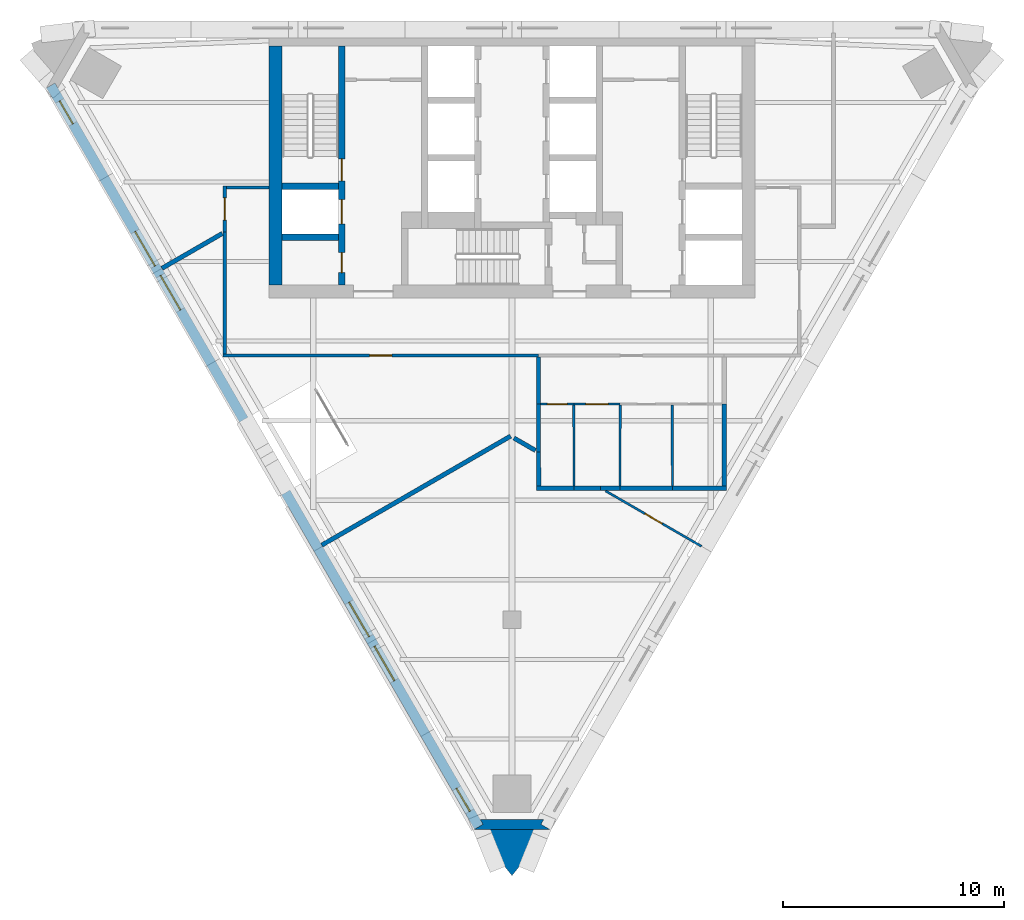
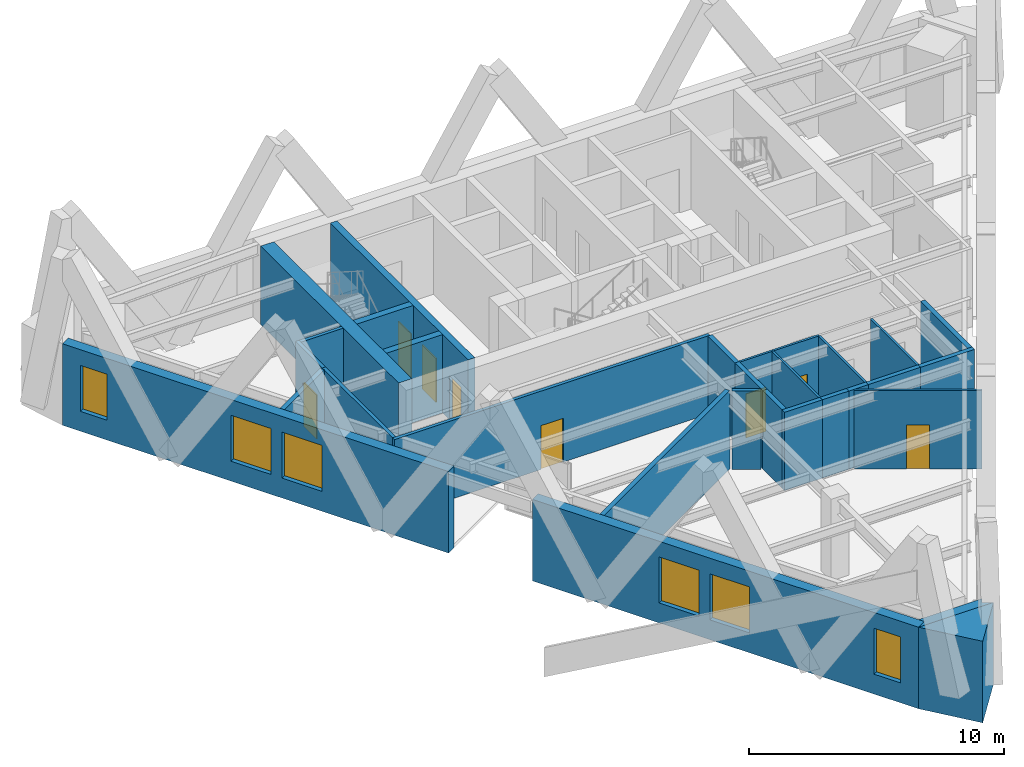
# One storey, part 4 of 9: 30 walls, 8 doors, 6 windows, 14 openings.
"""IFC4 building model written with IfcOpenShell, lengths in metres."""

from ifc_helpers import new_model, si_unit, direction, frame, frame_2d, origin, place, context, subcontext, project, spatial, polyline, rectangle, outline, extrude, material, layer, layer_set, type_object, element, fill, save


model = new_model("IFC4")

# Units and contexts
model_context = context("Model", 3, precision=1e-05, world=origin(), true_north=direction((0.0, 1.0)))
body_context = subcontext(model_context, "Body", "Model", "MODEL_VIEW")
ifc_project = project(units=[si_unit("LENGTHUNIT", "METRE"), si_unit("AREAUNIT", "SQUARE_METRE"), si_unit("VOLUMEUNIT", "CUBIC_METRE"), si_unit("PLANEANGLEUNIT", "RADIAN"), si_unit("MASSUNIT", "GRAM", prefix="KILO")], contexts=[model_context])

# Site, building, storey
site_placement = place(None, origin())
site = spatial("IfcSite", under=ifc_project, at=site_placement, CompositionType="ELEMENT")
building_placement = place(site_placement, origin())
building = spatial("IfcBuilding", under=site, at=building_placement, Name="Aloe Facet Convention Tower", CompositionType="ELEMENT")
storey_placement = place(building_placement, frame((0.0, 0.0, 203.60009765625)))
storey = spatial("IfcBuildingStorey", under=building, at=storey_placement, Name="L51", CompositionType="ELEMENT", Elevation=203.60009765625)

# Walls
ifc_material_1 = material(Name="Concrete C50/60", Category="concrete")
ifc_layer_1 = layer(ifc_material_1, 0.300048828125)
ifc_layer_set_1 = layer_set([ifc_layer_1], Name="CR-W-RC300-C5060")
wall_type_1 = type_object("IfcWallType", Name="CR-W-RC300-C5060", PredefinedType="SOLIDWALL", material=ifc_layer_set_1)
for number, where, z_axis, x_axis, name in (
    (1, (69.60009765625, 127.60009765625, 0.0), (0.0, 0.0, 1.0), (1.0, 0.0, 0.0), "Core wall L51-004"),
    (2, (69.60009765625, 125.300048828125, 0.0), (0.0, 0.0, 1.0), (1.0, 0.0, 0.0), "Core wall L51-005"),
):
    element("IfcWall", number, at=place(storey_placement, frame(where, z_axis=z_axis, x_axis=x_axis)), inside=storey, type_object=wall_type_1, Name=name, PredefinedType="SOLIDWALL", context=body_context, shape_type="SweptSolid", body=[
        extrude(rectangle(XDim=2.5498046875, YDim=0.300048828125, at=frame_2d((1.27490234375, 0.0))), origin(), (0.0, 0.0, 1.0), 3.75),
    ])

# Wall, openings, doors
wall_1_placement = place(storey_placement, frame((72.300048828125, 133.949951171875, 0.0), z_axis=(0.0, 0.0, 1.0), x_axis=(0.0, -1.0, 0.0)))
wall_1 = element("IfcWall", 3, at=wall_1_placement, inside=storey, type_object=wall_type_1, Name="Core wall L51-006", PredefinedType="SOLIDWALL", context=body_context, shape_type="SweptSolid", body=[
    extrude(rectangle(XDim=10.800048828125, YDim=0.300048828125, at=frame_2d((5.39990234375, 0.0))), origin(), (0.0, 0.0, 1.0), 3.75),
])
opening_1_placement = place(wall_1_placement, frame((6.949951171875, 0.0, 0.0)))
opening_1 = element("IfcOpeningElement", 4, at=opening_1_placement, cuts=wall_1, Name="Opening LD-FF1-L51", PredefinedType="OPENING", context=body_context, shape_type="SweptSolid", body=[
    extrude(rectangle(XDim=1.10009765625, YDim=2.10009765625, at=frame_2d((0.550048828125, 1.050048828125))), frame((0.0, 0.16015625, 0.0), z_axis=(0.0, -1.0, 0.0), x_axis=(1.0, 0.0, 0.0)), (0.0, 0.0, 1.0), 0.320068359375),
])
opening_2_placement = place(wall_1_placement, frame((9.35009765625, 0.0, 0.0)))
opening_2 = element("IfcOpeningElement", 5, at=opening_2_placement, cuts=wall_1, Name="Opening L51-CD15", PredefinedType="OPENING", context=body_context, shape_type="SweptSolid", body=[
    extrude(rectangle(XDim=0.89990234375, YDim=2.10009765625, at=frame_2d((0.449951171875, 1.050048828125))), frame((0.0, 0.16015625, 0.0), z_axis=(0.0, -1.0, 0.0), x_axis=(1.0, 0.0, 0.0)), (0.0, 0.0, 1.0), 0.320068359375),
])
opening_3_placement = place(wall_1_placement, frame((5.10009765625, 0.0, 0.0)))
opening_3 = element("IfcOpeningElement", 6, at=opening_3_placement, cuts=wall_1, Name="Opening L51-CD16", PredefinedType="OPENING", context=body_context, shape_type="SweptSolid", body=[
    extrude(rectangle(XDim=1.0, YDim=2.10009765625, at=frame_2d((0.5, 1.050048828125))), frame((0.0, 0.16015625, 0.0), z_axis=(0.0, -1.0, 0.0), x_axis=(1.0, 0.0, 0.0)), (0.0, 0.0, 1.0), 0.320068359375),
])
ifc_material_2 = material(Name="Steel fire-resisting door set FD60", Category="steel")
door_type_1 = type_object("IfcDoorType", Name="CR-D-ROOM-900-FD60-SLEFT", OperationType="SINGLE_SWING_LEFT", PredefinedType="DOOR", material=ifc_material_2)
door_1_placement = place(opening_2_placement, origin())
door_1 = element("IfcDoor", 7, at=door_1_placement, inside=storey, type_object=door_type_1, Name="Core door L51-CD15", OperationType="SINGLE_SWING_LEFT", OverallHeight=2.10009765625, OverallWidth=0.89990234375, PredefinedType="DOOR", context=body_context, shape_type="SweptSolid", body=[
    extrude(rectangle(XDim=0.89990234375, YDim=2.10009765625, at=frame_2d((0.449951171875, 1.050048828125))), frame((0.0, 0.02490234375, 0.0), z_axis=(0.0, -1.0, 0.0), x_axis=(1.0, 0.0, 0.0)), (0.0, 0.0, 1.0), 0.050048828125),
])
fill(opening_2, door_1)
ifc_material_3 = material(Name="Steel fire-resisting door set FD120", Category="steel")
door_type_2 = type_object("IfcDoorType", Name="CR-D-STAIR-1000-FD120-SRIGHT", OperationType="SINGLE_SWING_RIGHT", PredefinedType="DOOR", material=ifc_material_3)
door_2_placement = place(opening_3_placement, origin())
door_2 = element("IfcDoor", 8, at=door_2_placement, inside=storey, type_object=door_type_2, Name="Core door L51-CD16", OperationType="SINGLE_SWING_RIGHT", OverallHeight=2.10009765625, OverallWidth=1.0, PredefinedType="DOOR", context=body_context, shape_type="SweptSolid", body=[
    extrude(rectangle(XDim=1.0, YDim=2.10009765625, at=frame_2d((0.5, 1.050048828125))), frame((0.0, 0.02490234375, 0.0), z_axis=(0.0, -1.0, 0.0), x_axis=(1.0, 0.0, 0.0)), (0.0, 0.0, 1.0), 0.050048828125),
])
fill(opening_3, door_2)
ifc_material_4 = material(Name="Stainless steel sliding landing door", Category="steel")
door_type_3 = type_object("IfcDoorType", Name="CR-LD-1100-FD120-_LEFT", OperationType="SLIDING_TO_LEFT", PredefinedType="DOOR", material=ifc_material_4)
door_3_placement = place(opening_1_placement, origin())
door_3 = element("IfcDoor", 9, at=door_3_placement, inside=storey, type_object=door_type_3, Name="Landing door FF1 L51", OperationType="SLIDING_TO_LEFT", OverallHeight=2.10009765625, OverallWidth=1.10009765625, PredefinedType="DOOR", context=body_context, shape_type="SweptSolid", body=[
    extrude(rectangle(XDim=1.10009765625, YDim=2.10009765625, at=frame_2d((0.550048828125, 1.050048828125))), frame((0.0, 0.02490234375, 0.0), z_axis=(0.0, -1.0, 0.0), x_axis=(1.0, 0.0, 0.0)), (0.0, 0.0, 1.0), 0.050048828125),
])
fill(opening_1, door_3)

# Walls
ifc_material_5 = material(Name="Concrete C50/60", Category="concrete")
ifc_layer_2 = layer(ifc_material_5, 0.60009765625)
ifc_layer_set_2 = layer_set([ifc_layer_2], Name="CR-W-RC600-C5060")
wall_type_2 = type_object("IfcWallType", Name="CR-W-RC600-C5060", PredefinedType="SOLIDWALL", material=ifc_layer_set_2)
wall_2_placement = place(storey_placement, frame((69.300048828125, 133.949951171875, 0.0), z_axis=(0.0, 0.0, 1.0), x_axis=(0.0, -1.0, 0.0)))
element("IfcWall", 10, at=wall_2_placement, inside=storey, type_object=wall_type_2, Name="Core wall L51-002", PredefinedType="SOLIDWALL", context=body_context, shape_type="SweptSolid", body=[
    extrude(rectangle(XDim=10.800048828125, YDim=0.60009765625, at=frame_2d((5.39990234375, 0.0))), origin(), (0.0, 0.0, 1.0), 3.75),
])
ifc_material_6 = material(Name="Precast concrete C40/50", Category="concrete")
ifc_layer_3 = layer(ifc_material_6, 0.449951171875)
ifc_layer_set_3 = layer_set([ifc_layer_3], Name="EV-WALL-PIER")
wall_type_3 = type_object("IfcWallType", Name="EV-WALL-PIER", PredefinedType="SOLIDWALL", material=ifc_layer_set_3)
wall_3_placement = place(storey_placement, frame((0.0, 0.0, -0.150146484375)))
element("IfcWall", 11, at=wall_3_placement, inside=storey, type_object=wall_type_3, Name="EP-L51-B", PredefinedType="SOLIDWALL", context=body_context, shape_type="SweptSolid", body=[
    extrude(outline(polyline([(78.300048828125, 98.514892578125), (78.689697265625, 98.739990234375), (78.559814453125, 98.965087890625), (81.440185546875, 98.965087890625), (81.310302734375, 98.739990234375), (81.699951171875, 98.514892578125), (78.300048828125, 98.514892578125)])), origin(), (0.0, 0.0, 1.0), 3.900146484375),
])
ifc_material_7 = material(Name="Precast concrete C40/50", Category="concrete")
ifc_layer_4 = layer(ifc_material_7, 3.947998046875)
ifc_layer_set_4 = layer_set([ifc_layer_4], Name="EV-WALL-SPINE")
wall_type_4 = type_object("IfcWallType", Name="EV-WALL-SPINE", PredefinedType="SOLIDWALL", material=ifc_layer_set_4)
wall_4_placement = place(storey_placement, frame((0.0, 0.0, -0.150146484375)))
element("IfcWall", 12, at=wall_4_placement, inside=storey, type_object=wall_type_4, Name="SP-S-L51", PredefinedType="SOLIDWALL", context=body_context, shape_type="SweptSolid", body=[
    extrude(outline(polyline([(78.300048828125, 98.514892578125), (80.0, 96.41943359375), (81.699951171875, 98.514892578125), (78.300048828125, 98.514892578125)])), origin(), (0.0, 0.0, 1.0), 3.900146484375),
])

# Wall, openings, windows
ifc_material_8 = material(Name="Precast concrete C40/50", Category="concrete")
ifc_layer_5 = layer(ifc_material_8, 0.449951171875)
ifc_layer_set_5 = layer_set([ifc_layer_5], Name="EV-WALL-STONE")
wall_type_5 = type_object("IfcWallType", Name="EV-WALL-STONE", PredefinedType="SOLIDWALL", material=ifc_layer_set_5)
wall_5_placement = place(storey_placement, frame((59.130126953125, 132.16796875, -0.150146484375), z_axis=(0.0, 0.0, 1.0), x_axis=(0.500006012489, -0.866021932445, 0.0)))
wall_5 = element("IfcWall", 13, at=wall_5_placement, inside=storey, type_object=wall_type_5, Name="EW-L51-W01", PredefinedType="SOLIDWALL", context=body_context, shape_type="SweptSolid", body=[
    extrude(outline(polyline([(0.0, 0.0), (0.0, 3.900146484375), (17.464599609375, 3.900146484375), (17.464599609375, 0.0), (0.0, 0.0)])), frame((0.0, 0.22509765625, 0.0), z_axis=(0.0, -1.0, 0.0), x_axis=(1.0, 0.0, 0.0)), (0.0, 0.0, 1.0), 0.449951171875),
])
opening_4_placement = place(wall_5_placement, frame((0.80712890625, 0.0, 0.949951171875)))
opening_4 = element("IfcOpeningElement", 14, at=opening_4_placement, cuts=wall_5, Name="Opening W-L51-W01", PredefinedType="OPENING", context=body_context, shape_type="SweptSolid", body=[
    extrude(rectangle(XDim=1.199951171875, YDim=2.199951171875, at=frame_2d((0.60009765625, 1.10009765625))), frame((0.0, 0.23486328125, 0.0), z_axis=(0.0, -1.0, 0.0), x_axis=(1.0, 0.0, 0.0)), (0.0, 0.0, 1.0), 0.469970703125),
])
opening_5_placement = place(wall_5_placement, frame((7.63232421875, 0.0, 0.949951171875)))
opening_5 = element("IfcOpeningElement", 15, at=opening_5_placement, cuts=wall_5, Name="Opening W-L51-W02", PredefinedType="OPENING", context=body_context, shape_type="SweptSolid", body=[
    extrude(rectangle(XDim=1.800048828125, YDim=2.199951171875, at=frame_2d((0.89990234375, 1.10009765625))), frame((0.0, 0.23486328125, 0.0), z_axis=(0.0, -1.0, 0.0), x_axis=(1.0, 0.0, 0.0)), (0.0, 0.0, 1.0), 0.469970703125),
])
opening_6_placement = place(wall_5_placement, frame((9.932373046875, 0.0, 0.949951171875)))
opening_6 = element("IfcOpeningElement", 16, at=opening_6_placement, cuts=wall_5, Name="Opening W-L51-W03", PredefinedType="OPENING", context=body_context, shape_type="SweptSolid", body=[
    extrude(rectangle(XDim=1.800048828125, YDim=2.199951171875, at=frame_2d((0.89990234375, 1.10009765625))), frame((0.0, 0.23486328125, 0.0), z_axis=(0.0, -1.0, 0.0), x_axis=(1.0, 0.0, 0.0)), (0.0, 0.0, 1.0), 0.469970703125),
])
ifc_material_9 = material(Name="Aluminium frame, clear double glazing", Category="aluminium")
window_type_1 = type_object("IfcWindowType", Name="EV-WIN-O12", PartitioningType="SINGLE_PANEL", PredefinedType="WINDOW", material=ifc_material_9)
window_1_placement = place(opening_4_placement, origin())
window_1 = element("IfcWindow", 17, at=window_1_placement, inside=storey, type_object=window_type_1, Name="W-L51-W01", OverallHeight=2.199951171875, OverallWidth=1.199951171875, PartitioningType="SINGLE_PANEL", PredefinedType="WINDOW", context=body_context, shape_type="SweptSolid", body=[
    extrude(rectangle(XDim=1.199951171875, YDim=2.199951171875, at=frame_2d((0.60009765625, 1.10009765625))), frame((0.0, 0.030029296875, 0.0), z_axis=(0.0, -1.0, 0.0), x_axis=(1.0, 0.0, 0.0)), (0.0, 0.0, 1.0), 0.06005859375),
])
fill(opening_4, window_1)
ifc_material_10 = material(Name="Aluminium frame, clear double glazing", Category="aluminium")
window_type_2 = type_object("IfcWindowType", Name="EV-WIN-O18", PartitioningType="SINGLE_PANEL", PredefinedType="WINDOW", material=ifc_material_10)
window_2_placement = place(opening_5_placement, origin())
window_2 = element("IfcWindow", 18, at=window_2_placement, inside=storey, type_object=window_type_2, Name="W-L51-W02", OverallHeight=2.199951171875, OverallWidth=1.800048828125, PartitioningType="SINGLE_PANEL", PredefinedType="WINDOW", context=body_context, shape_type="SweptSolid", body=[
    extrude(rectangle(XDim=1.800048828125, YDim=2.199951171875, at=frame_2d((0.89990234375, 1.10009765625))), frame((0.0, 0.030029296875, 0.0), z_axis=(0.0, -1.0, 0.0), x_axis=(1.0, 0.0, 0.0)), (0.0, 0.0, 1.0), 0.06005859375),
])
fill(opening_5, window_2)
window_3_placement = place(opening_6_placement, origin())
window_3 = element("IfcWindow", 19, at=window_3_placement, inside=storey, type_object=window_type_2, Name="W-L51-W03", OverallHeight=2.199951171875, OverallWidth=1.800048828125, PartitioningType="SINGLE_PANEL", PredefinedType="WINDOW", context=body_context, shape_type="SweptSolid", body=[
    extrude(rectangle(XDim=1.800048828125, YDim=2.199951171875, at=frame_2d((0.89990234375, 1.10009765625))), frame((0.0, 0.030029296875, 0.0), z_axis=(0.0, -1.0, 0.0), x_axis=(1.0, 0.0, 0.0)), (0.0, 0.0, 1.0), 0.06005859375),
])
fill(opening_6, window_3)

wall_6_placement = place(storey_placement, frame((69.762451171875, 113.752197265625, -0.150146484375), z_axis=(0.0, 0.0, 1.0), x_axis=(0.500006012489, -0.866021932445, 0.0)))
wall_6 = element("IfcWall", 20, at=wall_6_placement, inside=storey, type_object=wall_type_5, Name="EW-L51-W02", PredefinedType="SOLIDWALL", context=body_context, shape_type="SweptSolid", body=[
    extrude(outline(polyline([(17.464599609375, 3.900146484375), (17.464599609375, 0.0), (0.0, 0.0), (0.0, 3.900146484375), (17.464599609375, 3.900146484375)])), frame((0.0, 0.22509765625, 0.0), z_axis=(0.0, -1.0, 0.0), x_axis=(1.0, 0.0, 0.0)), (0.0, 0.0, 1.0), 0.449951171875),
])
opening_7_placement = place(wall_6_placement, frame((5.732421875, 0.0, 0.949951171875)))
opening_7 = element("IfcOpeningElement", 21, at=opening_7_placement, cuts=wall_6, Name="Opening W-L51-W04", PredefinedType="OPENING", context=body_context, shape_type="SweptSolid", body=[
    extrude(rectangle(XDim=1.800048828125, YDim=2.199951171875, at=frame_2d((0.89990234375, 1.10009765625))), frame((0.0, 0.23486328125, 0.0), z_axis=(0.0, -1.0, 0.0), x_axis=(1.0, 0.0, 0.0)), (0.0, 0.0, 1.0), 0.469970703125),
])
opening_8_placement = place(wall_6_placement, frame((8.0322265625, 0.0, 0.949951171875)))
opening_8 = element("IfcOpeningElement", 22, at=opening_8_placement, cuts=wall_6, Name="Opening W-L51-W05", PredefinedType="OPENING", context=body_context, shape_type="SweptSolid", body=[
    extrude(rectangle(XDim=1.800048828125, YDim=2.199951171875, at=frame_2d((0.89990234375, 1.10009765625))), frame((0.0, 0.23486328125, 0.0), z_axis=(0.0, -1.0, 0.0), x_axis=(1.0, 0.0, 0.0)), (0.0, 0.0, 1.0), 0.469970703125),
])
opening_9_placement = place(wall_6_placement, frame((15.45751953125, 0.0, 0.949951171875)))
opening_9 = element("IfcOpeningElement", 23, at=opening_9_placement, cuts=wall_6, Name="Opening W-L51-W06", PredefinedType="OPENING", context=body_context, shape_type="SweptSolid", body=[
    extrude(rectangle(XDim=1.199951171875, YDim=2.199951171875, at=frame_2d((0.60009765625, 1.10009765625))), frame((0.0, 0.23486328125, 0.0), z_axis=(0.0, -1.0, 0.0), x_axis=(1.0, 0.0, 0.0)), (0.0, 0.0, 1.0), 0.469970703125),
])
window_4_placement = place(opening_9_placement, origin())
window_4 = element("IfcWindow", 24, at=window_4_placement, inside=storey, type_object=window_type_1, Name="W-L51-W06", OverallHeight=2.199951171875, OverallWidth=1.199951171875, PartitioningType="SINGLE_PANEL", PredefinedType="WINDOW", context=body_context, shape_type="SweptSolid", body=[
    extrude(rectangle(XDim=1.199951171875, YDim=2.199951171875, at=frame_2d((0.60009765625, 1.10009765625))), frame((0.0, 0.030029296875, 0.0), z_axis=(0.0, -1.0, 0.0), x_axis=(1.0, 0.0, 0.0)), (0.0, 0.0, 1.0), 0.06005859375),
])
fill(opening_9, window_4)
window_5_placement = place(opening_7_placement, origin())
window_5 = element("IfcWindow", 25, at=window_5_placement, inside=storey, type_object=window_type_2, Name="W-L51-W04", OverallHeight=2.199951171875, OverallWidth=1.800048828125, PartitioningType="SINGLE_PANEL", PredefinedType="WINDOW", context=body_context, shape_type="SweptSolid", body=[
    extrude(rectangle(XDim=1.800048828125, YDim=2.199951171875, at=frame_2d((0.89990234375, 1.10009765625))), frame((0.0, 0.030029296875, 0.0), z_axis=(0.0, -1.0, 0.0), x_axis=(1.0, 0.0, 0.0)), (0.0, 0.0, 1.0), 0.06005859375),
])
fill(opening_7, window_5)
window_6_placement = place(opening_8_placement, origin())
window_6 = element("IfcWindow", 26, at=window_6_placement, inside=storey, type_object=window_type_2, Name="W-L51-W05", OverallHeight=2.199951171875, OverallWidth=1.800048828125, PartitioningType="SINGLE_PANEL", PredefinedType="WINDOW", context=body_context, shape_type="SweptSolid", body=[
    extrude(rectangle(XDim=1.800048828125, YDim=2.199951171875, at=frame_2d((0.89990234375, 1.10009765625))), frame((0.0, 0.030029296875, 0.0), z_axis=(0.0, -1.0, 0.0), x_axis=(1.0, 0.0, 0.0)), (0.0, 0.0, 1.0), 0.06005859375),
])
fill(opening_8, window_6)

# Wall, opening, door
ifc_material_11 = material(Name="Gypsum board partition on steel studs", Category="steel")
ifc_layer_6 = layer(ifc_material_11, 0.14990234375)
ifc_layer_set_6 = layer_set([ifc_layer_6], Name="IN-W-CORR")
wall_type_6 = type_object("IfcWallType", Name="IN-W-CORR", PredefinedType="PARTITIONING", material=ifc_layer_set_6)
wall_7_placement = place(storey_placement, frame((66.925048828125, 119.949951171875, 0.0), z_axis=(0.0, 0.0, 1.0), x_axis=(1.0, 0.0, 0.0)))
wall_7 = element("IfcWall", 27, at=wall_7_placement, inside=storey, type_object=wall_type_6, Name="Partition L51-W021", PredefinedType="PARTITIONING", context=body_context, shape_type="SweptSolid", body=[
    extrude(rectangle(XDim=14.27490234375, YDim=0.14990234375, at=frame_2d((7.137451171875, 0.0))), origin(), (0.0, 0.0, 1.0), 3.75),
])
opening_10_placement = place(wall_7_placement, frame((6.637451171875, 0.0, 0.0)))
opening_10 = element("IfcOpeningElement", 28, at=opening_10_placement, cuts=wall_7, Name="Opening L51-008", PredefinedType="OPENING", context=body_context, shape_type="SweptSolid", body=[
    extrude(rectangle(XDim=1.0, YDim=2.10009765625, at=frame_2d((0.5, 1.050048828125))), frame((0.0, 0.0849609375, 0.0), z_axis=(0.0, -1.0, 0.0), x_axis=(1.0, 0.0, 0.0)), (0.0, 0.0, 1.0), 0.169921875),
])
ifc_material_12 = material(Name="Timber door FD30S with vision panel", Category="wood")
door_type_4 = type_object("IfcDoorType", Name="IN-OFF-D-ENTRY", OperationType="SINGLE_SWING_LEFT", PredefinedType="DOOR", material=ifc_material_12)
door_4_placement = place(opening_10_placement, origin())
door_4 = element("IfcDoor", 29, at=door_4_placement, inside=storey, type_object=door_type_4, Name="Door L51-008", OperationType="SINGLE_SWING_LEFT", OverallHeight=2.10009765625, OverallWidth=1.0, PredefinedType="DOOR", context=body_context, shape_type="SweptSolid", body=[
    extrude(rectangle(XDim=1.0, YDim=2.10009765625, at=frame_2d((0.5, 1.050048828125))), frame((0.0, 0.02490234375, 0.0), z_axis=(0.0, -1.0, 0.0), x_axis=(1.0, 0.0, 0.0)), (0.0, 0.0, 1.0), 0.050048828125),
])
fill(opening_10, door_4)

wall_8_placement = place(storey_placement, frame((67.0, 125.531494140625, 0.0), z_axis=(0.0, 0.0, 1.0), x_axis=(0.0, 1.0, 0.0)))
wall_8 = element("IfcWall", 30, at=wall_8_placement, inside=storey, type_object=wall_type_6, Name="Partition L51-W026", PredefinedType="PARTITIONING", context=body_context, shape_type="SweptSolid", body=[
    extrude(rectangle(XDim=2.093505859375, YDim=0.14990234375, at=frame_2d((1.046875, 0.0))), origin(), (0.0, 0.0, 1.0), 3.75),
])
opening_11_placement = place(wall_8_placement, frame((0.546875, 0.0, 0.0)))
opening_11 = element("IfcOpeningElement", 31, at=opening_11_placement, cuts=wall_8, Name="Opening L51-007", PredefinedType="OPENING", context=body_context, shape_type="SweptSolid", body=[
    extrude(rectangle(XDim=1.0, YDim=2.10009765625, at=frame_2d((0.5, 1.050048828125))), frame((0.0, 0.0849609375, 0.0), z_axis=(0.0, -1.0, 0.0), x_axis=(1.0, 0.0, 0.0)), (0.0, 0.0, 1.0), 0.169921875),
])
door_5_placement = place(opening_11_placement, origin())
door_5 = element("IfcDoor", 32, at=door_5_placement, inside=storey, type_object=door_type_4, Name="Door L51-007", OperationType="SINGLE_SWING_LEFT", OverallHeight=2.10009765625, OverallWidth=1.0, PredefinedType="DOOR", context=body_context, shape_type="SweptSolid", body=[
    extrude(rectangle(XDim=1.0, YDim=2.10009765625, at=frame_2d((0.5, 1.050048828125))), frame((0.0, 0.02490234375, 0.0), z_axis=(0.0, -1.0, 0.0), x_axis=(1.0, 0.0, 0.0)), (0.0, 0.0, 1.0), 0.050048828125),
])
fill(opening_11, door_5)

# Walls
wall_9_placement = place(storey_placement, frame((67.0, 120.02490234375, 0.0), z_axis=(0.0, 0.0, 1.0), x_axis=(0.0, 1.0, 0.0)))
element("IfcWall", 33, at=wall_9_placement, inside=storey, type_object=wall_type_6, Name="Partition L51-W027", PredefinedType="PARTITIONING", context=body_context, shape_type="SweptSolid", body=[
    extrude(rectangle(XDim=5.506591796875, YDim=0.14990234375, at=frame_2d((2.75341796875, 0.0))), origin(), (0.0, 0.0, 1.0), 3.75),
])
wall_10_placement = place(storey_placement, frame((67.074951171875, 127.550048828125, 0.0), z_axis=(0.0, 0.0, 1.0), x_axis=(1.0, 0.0, 0.0)))
element("IfcWall", 34, at=wall_10_placement, inside=storey, type_object=wall_type_6, Name="Partition L51-W030", PredefinedType="PARTITIONING", context=body_context, shape_type="SweptSolid", body=[
    extrude(rectangle(XDim=1.925048828125, YDim=0.14990234375, at=frame_2d((0.96240234375, 0.0))), origin(), (0.0, 0.0, 1.0), 3.75),
])

# Wall, opening, door
ifc_material_13 = material(Name="Gypsum board partition on steel studs", Category="steel")
ifc_layer_7 = layer(ifc_material_13, 0.10009765625)
ifc_layer_set_7 = layer_set([ifc_layer_7], Name="IN-W-PART")
wall_type_7 = type_object("IfcWallType", Name="IN-W-PART", PredefinedType="PARTITIONING", material=ifc_layer_set_7)
wall_11_placement = place(storey_placement, frame((84.229248046875, 113.824951171875, 0.0), z_axis=(0.0, 0.0, 1.0), x_axis=(0.866023434512, -0.500003410864, 0.0)))
wall_11 = element("IfcWall", 35, at=wall_11_placement, inside=storey, type_object=wall_type_7, Name="Partition L51-W004", PredefinedType="PARTITIONING", context=body_context, shape_type="SweptSolid", body=[
    extrude(rectangle(XDim=5.0146484375, YDim=0.10009765625, at=frame_2d((2.50732421875, 0.0))), origin(), (0.0, 0.0, 1.0), 3.75),
])
opening_12_placement = place(wall_11_placement, frame((2.057373046875, 0.0, 0.0)))
opening_12 = element("IfcOpeningElement", 36, at=opening_12_placement, cuts=wall_11, Name="Opening L51-010", PredefinedType="OPENING", context=body_context, shape_type="SweptSolid", body=[
    extrude(rectangle(XDim=0.89990234375, YDim=2.10009765625, at=frame_2d((0.449951171875, 1.050048828125))), frame((0.0, 0.06005859375, 0.0), z_axis=(0.0, -1.0, 0.0), x_axis=(1.0, 0.0, 0.0)), (0.0, 0.0, 1.0), 0.1201171875),
])
ifc_material_14 = material(Name="Timber door", Category="wood")
door_type_5 = type_object("IfcDoorType", Name="IN-OFF-D-ROOM", OperationType="SINGLE_SWING_LEFT", PredefinedType="DOOR", material=ifc_material_14)
door_6_placement = place(opening_12_placement, origin())
door_6 = element("IfcDoor", 37, at=door_6_placement, inside=storey, type_object=door_type_5, Name="Door L51-010", OperationType="SINGLE_SWING_LEFT", OverallHeight=2.10009765625, OverallWidth=0.89990234375, PredefinedType="DOOR", context=body_context, shape_type="SweptSolid", body=[
    extrude(rectangle(XDim=0.89990234375, YDim=2.10009765625, at=frame_2d((0.449951171875, 1.050048828125))), frame((0.0, 0.02490234375, 0.0), z_axis=(0.0, -1.0, 0.0), x_axis=(1.0, 0.0, 0.0)), (0.0, 0.0, 1.0), 0.050048828125),
])
fill(opening_12, door_6)

# Wall
wall_12_placement = place(storey_placement, frame((82.8056640625, 114.050048828125, 0.0), z_axis=(0.0, 0.0, 1.0), x_axis=(-0.002608686776, 0.999996597371, 0.0)))
element("IfcWall", 38, at=wall_12_placement, inside=storey, type_object=wall_type_7, Name="Partition L51-W012", PredefinedType="PARTITIONING", context=body_context, shape_type="SweptSolid", body=[
    extrude(rectangle(XDim=3.64990234375, YDim=0.10009765625, at=frame_2d((1.824951171875, 0.0))), origin(), (0.0, 0.0, 1.0), 3.75),
])

# Wall, opening, door
wall_13_placement = place(storey_placement, frame((81.300048828125, 117.75, 0.0), z_axis=(0.0, 0.0, 1.0), x_axis=(1.0, 0.0, 0.0)))
wall_13 = element("IfcWall", 39, at=wall_13_placement, inside=storey, type_object=wall_type_7, Name="Partition L51-W013", PredefinedType="PARTITIONING", context=body_context, shape_type="SweptSolid", body=[
    extrude(rectangle(XDim=1.495849609375, YDim=0.10009765625, at=frame_2d((0.748046875, 0.0))), origin(), (0.0, 0.0, 1.0), 3.75),
])
opening_13_placement = place(wall_13_placement, frame((0.298095703125, 0.0, 0.0)))
opening_13 = element("IfcOpeningElement", 40, at=opening_13_placement, cuts=wall_13, Name="Opening L51-002", PredefinedType="OPENING", context=body_context, shape_type="SweptSolid", body=[
    extrude(rectangle(XDim=0.89990234375, YDim=2.10009765625, at=frame_2d((0.449951171875, 1.050048828125))), frame((0.0, 0.06005859375, 0.0), z_axis=(0.0, -1.0, 0.0), x_axis=(1.0, 0.0, 0.0)), (0.0, 0.0, 1.0), 0.1201171875),
])
door_7_placement = place(opening_13_placement, origin())
door_7 = element("IfcDoor", 41, at=door_7_placement, inside=storey, type_object=door_type_5, Name="Door L51-002", OperationType="SINGLE_SWING_LEFT", OverallHeight=2.10009765625, OverallWidth=0.89990234375, PredefinedType="DOOR", context=body_context, shape_type="SweptSolid", body=[
    extrude(rectangle(XDim=0.89990234375, YDim=2.10009765625, at=frame_2d((0.449951171875, 1.050048828125))), frame((0.0, 0.02490234375, 0.0), z_axis=(0.0, -1.0, 0.0), x_axis=(1.0, 0.0, 0.0)), (0.0, 0.0, 1.0), 0.050048828125),
])
fill(opening_13, door_7)

# Wall
wall_14_placement = place(storey_placement, frame((84.88623046875, 114.050048828125, 0.0), z_axis=(0.0, 0.0, 1.0), x_axis=(0.002608686776, 0.999996597371, 0.0)))
element("IfcWall", 42, at=wall_14_placement, inside=storey, type_object=wall_type_7, Name="Partition L51-W014", PredefinedType="PARTITIONING", context=body_context, shape_type="SweptSolid", body=[
    extrude(rectangle(XDim=3.64990234375, YDim=0.10009765625, at=frame_2d((1.824951171875, 0.0))), origin(), (0.0, 0.0, 1.0), 3.75),
])

# Wall, opening, door
wall_15_placement = place(storey_placement, frame((82.7958984375, 117.75, 0.0), z_axis=(0.0, 0.0, 1.0), x_axis=(1.0, 0.0, 0.0)))
wall_15 = element("IfcWall", 43, at=wall_15_placement, inside=storey, type_object=wall_type_7, Name="Partition L51-W015", PredefinedType="PARTITIONING", context=body_context, shape_type="SweptSolid", body=[
    extrude(rectangle(XDim=2.10009765625, YDim=0.10009765625, at=frame_2d((1.050048828125, 0.0))), origin(), (0.0, 0.0, 1.0), 3.75),
])
opening_14_placement = place(wall_15_placement, frame((0.550048828125, 0.0, 0.0)))
opening_14 = element("IfcOpeningElement", 44, at=opening_14_placement, cuts=wall_15, Name="Opening L51-003", PredefinedType="OPENING", context=body_context, shape_type="SweptSolid", body=[
    extrude(rectangle(XDim=1.0, YDim=2.10009765625, at=frame_2d((0.5, 1.050048828125))), frame((0.0, 0.06005859375, 0.0), z_axis=(0.0, -1.0, 0.0), x_axis=(1.0, 0.0, 0.0)), (0.0, 0.0, 1.0), 0.1201171875),
])
ifc_material_15 = material(Name="Timber door", Category="wood")
door_type_6 = type_object("IfcDoorType", Name="IN-OFF-D-WIDE", OperationType="SINGLE_SWING_LEFT", PredefinedType="DOOR", material=ifc_material_15)
door_8_placement = place(opening_14_placement, origin())
door_8 = element("IfcDoor", 45, at=door_8_placement, inside=storey, type_object=door_type_6, Name="Door L51-003", OperationType="SINGLE_SWING_LEFT", OverallHeight=2.10009765625, OverallWidth=1.0, PredefinedType="DOOR", context=body_context, shape_type="SweptSolid", body=[
    extrude(rectangle(XDim=1.0, YDim=2.10009765625, at=frame_2d((0.5, 1.050048828125))), frame((0.0, 0.02490234375, 0.0), z_axis=(0.0, -1.0, 0.0), x_axis=(1.0, 0.0, 0.0)), (0.0, 0.0, 1.0), 0.050048828125),
])
fill(opening_14, door_8)

# Walls
wall_16_placement = place(storey_placement, frame((87.2578125, 114.050048828125, 0.0), z_axis=(0.0, 0.0, 1.0), x_axis=(-0.002675575707, 0.999996420641, 0.0)))
element("IfcWall", 46, at=wall_16_placement, inside=storey, type_object=wall_type_7, Name="Partition L51-W016", PredefinedType="PARTITIONING", context=body_context, shape_type="SweptSolid", body=[
    extrude(rectangle(XDim=3.64990234375, YDim=0.10009765625, at=frame_2d((1.824951171875, 0.0))), origin(), (0.0, 0.0, 1.0), 3.75),
])
ifc_material_16 = material(Name="Gypsum board partition on steel studs", Category="steel")
ifc_layer_8 = layer(ifc_material_16, 0.199951171875)
ifc_layer_set_8 = layer_set([ifc_layer_8], Name="IN-W-PARTY")
wall_type_8 = type_object("IfcWallType", Name="IN-W-PARTY", PredefinedType="PARTITIONING", material=ifc_layer_set_8)
wall_17_placement = place(storey_placement, frame((71.396728515625, 111.371826171875, 0.0), z_axis=(0.0, 0.0, 1.0), x_axis=(0.866030168233, 0.499991747643, 0.0)))
element("IfcWall", 47, at=wall_17_placement, inside=storey, type_object=wall_type_8, Name="Partition L51-W001", PredefinedType="PARTITIONING", context=body_context, shape_type="SweptSolid", body=[
    extrude(rectangle(XDim=9.862060546875, YDim=0.199951171875, at=frame_2d((4.93115234375, 0.0))), origin(), (0.0, 0.0, 1.0), 3.75),
])
wall_18_placement = place(storey_placement, frame((81.10205078125, 113.949951171875, 0.0), z_axis=(0.0, 0.0, 1.0), x_axis=(1.0, 0.0, 0.0)))
element("IfcWall", 48, at=wall_18_placement, inside=storey, type_object=wall_type_8, Name="Partition L51-W002", PredefinedType="PARTITIONING", context=body_context, shape_type="SweptSolid", body=[
    extrude(rectangle(XDim=1.703857421875, YDim=0.199951171875, at=frame_2d((0.85205078125, 0.0))), origin(), (0.0, 0.0, 1.0), 3.75),
])
wall_19_placement = place(storey_placement, frame((82.805908203125, 113.949951171875, 0.0), z_axis=(0.0, 0.0, 1.0), x_axis=(1.0, 0.0, 0.0)))
element("IfcWall", 49, at=wall_19_placement, inside=storey, type_object=wall_type_8, Name="Partition L51-W003", PredefinedType="PARTITIONING", context=body_context, shape_type="SweptSolid", body=[
    extrude(rectangle(XDim=1.206787109375, YDim=0.199951171875, at=frame_2d((0.603515625, 0.0))), origin(), (0.0, 0.0, 1.0), 3.75),
])
wall_20_placement = place(storey_placement, frame((84.0126953125, 113.949951171875, 0.0), z_axis=(0.0, 0.0, 1.0), x_axis=(1.0, 0.0, 0.0)))
element("IfcWall", 50, at=wall_20_placement, inside=storey, type_object=wall_type_8, Name="Partition L51-W005", PredefinedType="PARTITIONING", context=body_context, shape_type="SweptSolid", body=[
    extrude(rectangle(XDim=0.873291015625, YDim=0.199951171875, at=frame_2d((0.4365234375, 0.0))), origin(), (0.0, 0.0, 1.0), 3.75),
])
wall_21_placement = place(storey_placement, frame((84.885986328125, 113.949951171875, 0.0), z_axis=(0.0, 0.0, 1.0), x_axis=(1.0, 0.0, 0.0)))
element("IfcWall", 51, at=wall_21_placement, inside=storey, type_object=wall_type_8, Name="Partition L51-W006", PredefinedType="PARTITIONING", context=body_context, shape_type="SweptSolid", body=[
    extrude(rectangle(XDim=2.3720703125, YDim=0.199951171875, at=frame_2d((1.18603515625, 0.0))), origin(), (0.0, 0.0, 1.0), 3.75),
])
wall_22_placement = place(storey_placement, frame((87.258056640625, 113.949951171875, 0.0), z_axis=(0.0, 0.0, 1.0), x_axis=(1.0, 0.0, 0.0)))
element("IfcWall", 52, at=wall_22_placement, inside=storey, type_object=wall_type_8, Name="Partition L51-W007", PredefinedType="PARTITIONING", context=body_context, shape_type="SweptSolid", body=[
    extrude(rectangle(XDim=2.44189453125, YDim=0.199951171875, at=frame_2d((1.220947265625, 0.0))), origin(), (0.0, 0.0, 1.0), 3.75),
])
wall_23_placement = place(storey_placement, frame((89.60009765625, 114.050048828125, 0.0), z_axis=(0.0, 0.0, 1.0), x_axis=(0.0, 1.0, 0.0)))
element("IfcWall", 53, at=wall_23_placement, inside=storey, type_object=wall_type_8, Name="Partition L51-W008", PredefinedType="PARTITIONING", context=body_context, shape_type="SweptSolid", body=[
    extrude(rectangle(XDim=3.7099609375, YDim=0.199951171875, at=frame_2d((1.85498046875, 0.0))), origin(), (0.0, 0.0, 1.0), 3.75),
])
wall_24_placement = place(storey_placement, frame((81.201904296875, 114.050048828125, 0.0), z_axis=(0.0, 0.0, 1.0), x_axis=(-0.001281639447, 0.9999991787, 0.0)))
element("IfcWall", 54, at=wall_24_placement, inside=storey, type_object=wall_type_8, Name="Partition L51-W009", PredefinedType="PARTITIONING", context=body_context, shape_type="SweptSolid", body=[
    extrude(rectangle(XDim=1.52392578125, YDim=0.199951171875, at=frame_2d((0.761962890625, 0.0))), origin(), (0.0, 0.0, 1.0), 3.75),
])
wall_25_placement = place(storey_placement, frame((80.087646484375, 116.216064453125, 0.0), z_axis=(0.0, 0.0, 1.0), x_axis=(0.866030125237, -0.499991822116, 0.0)))
element("IfcWall", 55, at=wall_25_placement, inside=storey, type_object=wall_type_8, Name="Partition L51-W010", PredefinedType="PARTITIONING", context=body_context, shape_type="SweptSolid", body=[
    extrude(rectangle(XDim=1.12451171875, YDim=0.199951171875, at=frame_2d((0.562255859375, 0.0))), origin(), (0.0, 0.0, 1.0), 3.75),
])
wall_26_placement = place(storey_placement, frame((81.199951171875, 115.573974609375, 0.0), z_axis=(0.0, 0.0, 1.0), x_axis=(0.0, 1.0, 0.0)))
element("IfcWall", 56, at=wall_26_placement, inside=storey, type_object=wall_type_8, Name="Partition L51-W019", PredefinedType="PARTITIONING", context=body_context, shape_type="SweptSolid", body=[
    extrude(rectangle(XDim=2.176025390625, YDim=0.199951171875, at=frame_2d((1.087890625, 0.0))), origin(), (0.0, 0.0, 1.0), 3.75),
])
wall_27_placement = place(storey_placement, frame((81.199951171875, 117.75, 0.0), z_axis=(0.0, 0.0, 1.0), x_axis=(0.0, 1.0, 0.0)))
element("IfcWall", 57, at=wall_27_placement, inside=storey, type_object=wall_type_8, Name="Partition L51-W020", PredefinedType="PARTITIONING", context=body_context, shape_type="SweptSolid", body=[
    extrude(rectangle(XDim=2.125, YDim=0.199951171875, at=frame_2d((1.0625, 0.0))), origin(), (0.0, 0.0, 1.0), 3.75),
])
wall_28_placement = place(storey_placement, frame((64.166259765625, 123.8955078125, 0.0), z_axis=(0.0, 0.0, 1.0), x_axis=(0.866024095498, 0.500002266011, 0.0)))
element("IfcWall", 58, at=wall_28_placement, inside=storey, type_object=wall_type_8, Name="Partition L51-W025", PredefinedType="PARTITIONING", context=body_context, shape_type="SweptSolid", body=[
    extrude(rectangle(XDim=3.14697265625, YDim=0.199951171875, at=frame_2d((1.573486328125, 0.0))), origin(), (0.0, 0.0, 1.0), 3.75),
])

save(model, "model.ifc")
